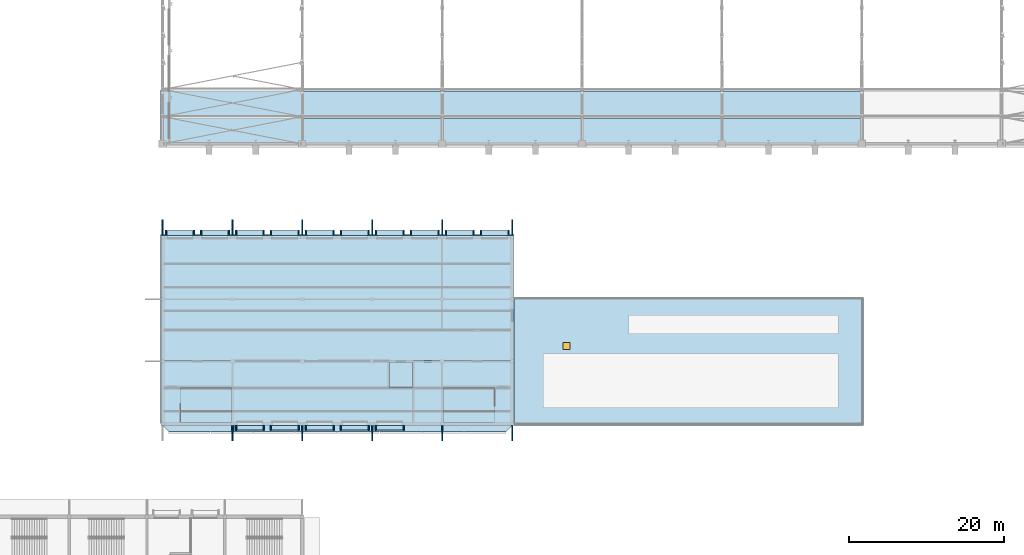
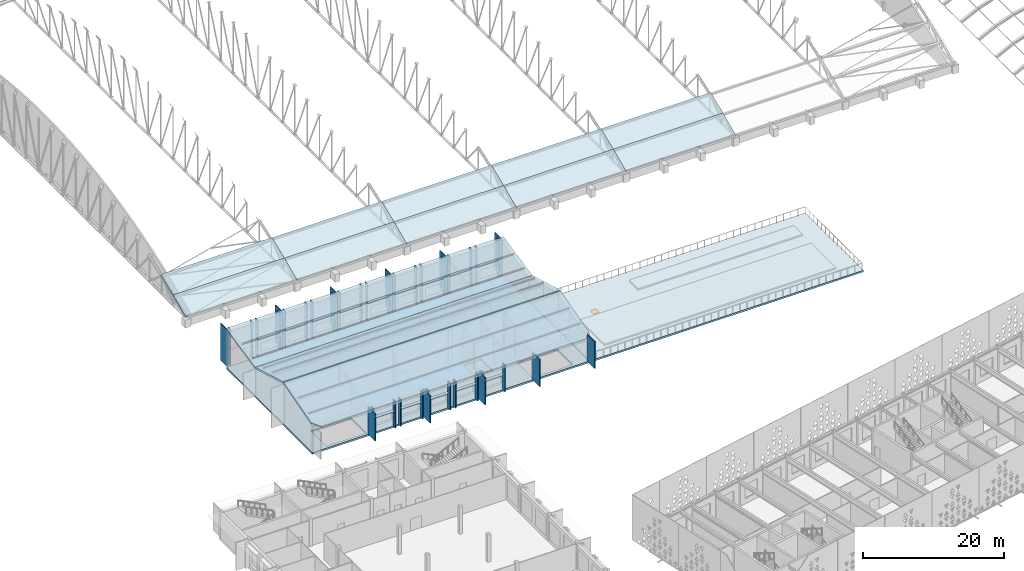
# One storey, part 107 of 196: 56 plates, 15 slabs, 1 window, 1 opening.
"""IFC4 building model written with IfcOpenShell, lengths in metres."""

from ifc_helpers import new_model, si_unit, direction, frame, origin, origin_2d, place, context, subcontext, project, spatial, polyline, rectangle, outline, extrude, material, layer, layer_set, type_object, element, fill, save


model = new_model("IFC4")

# Units and contexts
model_context = context("Model", 3, precision=1e-05, world=origin(), true_north=direction((0.0, 1.0)))
body_context = subcontext(model_context, "Body", "Model", "MODEL_VIEW")
ifc_project = project(units=[si_unit("LENGTHUNIT", "METRE"), si_unit("AREAUNIT", "SQUARE_METRE"), si_unit("VOLUMEUNIT", "CUBIC_METRE"), si_unit("PLANEANGLEUNIT", "RADIAN"), si_unit("MASSUNIT", "GRAM", prefix="KILO")], contexts=[model_context])

# Site, building, storey
site_placement = place(None, origin())
site = spatial("IfcSite", under=ifc_project, at=site_placement, CompositionType="ELEMENT")
building_placement = place(site_placement, origin())
building = spatial("IfcBuilding", under=site, at=building_placement, Name="Okhra Congress Centre", CompositionType="ELEMENT")
storey_placement = place(building_placement, frame((0.0, 0.0, 12.0)))
storey = spatial("IfcBuildingStorey", under=building, at=storey_placement, Name="L02", CompositionType="ELEMENT", Elevation=12.0)

# Slabs
ifc_material_1 = material(Name="Insulated metal sandwich roof panel (mineral wool core)")
ifc_layer_1 = layer(ifc_material_1, 0.25)
ifc_layer_set_1 = layer_set([ifc_layer_1], Name="Insulated roof panel 250")
slab_type_1 = type_object("IfcSlabType", Name="Insulated roof panel 250", PredefinedType="ROOF", material=ifc_layer_set_1)
slab_1_placement = place(storey_placement, frame((27.75, 131.795654296875, 1.8564453125), z_axis=(0.0, -0.408547084695, 0.912737245645), x_axis=(1.0, 0.0, 0.0)))
element("IfcSlab", 1, at=slab_1_placement, inside=storey, type_object=slab_type_1, Name="EH.SLAB.L02.RP1-01", PredefinedType="ROOF", context=body_context, shape_type="SweptSolid", body=[
    extrude(outline(polyline([(0.0, 0.0), (18.25, 0.0), (18.25, 3.8442488013304907), (0.0, 3.8442488013304907), (0.0, 0.0)])), origin(), (0.0, 0.0, -1.0), 0.25),
])
slab_2_placement = place(storey_placement, frame((27.75, 135.304443359375, 3.427001953125), z_axis=(0.0, -0.37302210348, 0.927822456247), x_axis=(1.0, 0.0, 0.0)))
element("IfcSlab", 2, at=slab_2_placement, inside=storey, type_object=slab_type_1, Name="EH.SLAB.L02.RP1-02", PredefinedType="ROOF", context=body_context, shape_type="SweptSolid", body=[
    extrude(outline(polyline([(0.0, 0.0), (18.25, 0.0), (18.25, 3.791482133182613), (0.0, 3.791482133182613), (0.0, 0.0)])), origin(), (0.0, 0.0, -1.0), 0.25),
])
slab_3_placement = place(storey_placement, frame((46.0, 131.795654296875, 1.8564453125), z_axis=(0.0, -0.408547084695, 0.912737245645), x_axis=(1.0, 0.0, 0.0)))
element("IfcSlab", 3, at=slab_3_placement, inside=storey, type_object=slab_type_1, Name="EH.SLAB.L02.RP2-01", PredefinedType="ROOF", context=body_context, shape_type="SweptSolid", body=[
    extrude(outline(polyline([(0.0, 0.0), (18.0, 0.0), (18.0, 3.8442488013304907), (0.0, 3.8442488013304907), (0.0, 0.0)])), origin(), (0.0, 0.0, -1.0), 0.25),
])
slab_4_placement = place(storey_placement, frame((46.0, 135.304443359375, 3.427001953125), z_axis=(0.0, -0.37302210348, 0.927822456247), x_axis=(1.0, 0.0, 0.0)))
element("IfcSlab", 4, at=slab_4_placement, inside=storey, type_object=slab_type_1, Name="EH.SLAB.L02.RP2-02", PredefinedType="ROOF", context=body_context, shape_type="SweptSolid", body=[
    extrude(outline(polyline([(0.0, 0.0), (18.0, 0.0), (18.0, 3.791482133182613), (0.0, 3.791482133182613), (0.0, 0.0)])), origin(), (0.0, 0.0, -1.0), 0.25),
])
slab_5_placement = place(storey_placement, frame((64.0, 131.795654296875, 1.8564453125), z_axis=(0.0, -0.408547084695, 0.912737245645), x_axis=(1.0, 0.0, 0.0)))
element("IfcSlab", 5, at=slab_5_placement, inside=storey, type_object=slab_type_1, Name="EH.SLAB.L02.RP3-01", PredefinedType="ROOF", context=body_context, shape_type="SweptSolid", body=[
    extrude(outline(polyline([(0.0, 0.0), (18.0, 0.0), (18.0, 3.8442488013304907), (0.0, 3.8442488013304907), (0.0, 0.0)])), origin(), (0.0, 0.0, -1.0), 0.25),
])
slab_6_placement = place(storey_placement, frame((64.0, 135.304443359375, 3.427001953125), z_axis=(0.0, -0.37302210348, 0.927822456247), x_axis=(1.0, 0.0, 0.0)))
element("IfcSlab", 6, at=slab_6_placement, inside=storey, type_object=slab_type_1, Name="EH.SLAB.L02.RP3-02", PredefinedType="ROOF", context=body_context, shape_type="SweptSolid", body=[
    extrude(outline(polyline([(0.0, 0.0), (18.0, 0.0), (18.0, 3.791482133182613), (0.0, 3.791482133182613), (0.0, 0.0)])), origin(), (0.0, 0.0, -1.0), 0.25),
])
slab_7_placement = place(storey_placement, frame((82.0, 131.795654296875, 1.8564453125), z_axis=(0.0, -0.408547084695, 0.912737245645), x_axis=(1.0, 0.0, 0.0)))
element("IfcSlab", 7, at=slab_7_placement, inside=storey, type_object=slab_type_1, Name="EH.SLAB.L02.RP4-01", PredefinedType="ROOF", context=body_context, shape_type="SweptSolid", body=[
    extrude(outline(polyline([(0.0, 0.0), (18.0, 0.0), (18.0, 3.8442488013304907), (0.0, 3.8442488013304907), (0.0, 0.0)])), origin(), (0.0, 0.0, -1.0), 0.25),
])
slab_8_placement = place(storey_placement, frame((82.0, 135.304443359375, 3.427001953125), z_axis=(0.0, -0.37302210348, 0.927822456247), x_axis=(1.0, 0.0, 0.0)))
element("IfcSlab", 8, at=slab_8_placement, inside=storey, type_object=slab_type_1, Name="EH.SLAB.L02.RP4-02", PredefinedType="ROOF", context=body_context, shape_type="SweptSolid", body=[
    extrude(outline(polyline([(0.0, 0.0), (18.0, 0.0), (18.0, 3.791482133182613), (0.0, 3.791482133182613), (0.0, 0.0)])), origin(), (0.0, 0.0, -1.0), 0.25),
])
slab_9_placement = place(storey_placement, frame((100.0, 131.795654296875, 1.8564453125), z_axis=(0.0, -0.408547084695, 0.912737245645), x_axis=(1.0, 0.0, 0.0)))
element("IfcSlab", 9, at=slab_9_placement, inside=storey, type_object=slab_type_1, Name="EH.SLAB.L02.RP5-01", PredefinedType="ROOF", context=body_context, shape_type="SweptSolid", body=[
    extrude(outline(polyline([(0.0, 0.0), (18.0, 0.0), (18.0, 3.8442488013304907), (0.0, 3.8442488013304907), (0.0, 0.0)])), origin(), (0.0, 0.0, -1.0), 0.25),
])
slab_10_placement = place(storey_placement, frame((100.0, 135.304443359375, 3.427001953125), z_axis=(0.0, -0.37302210348, 0.927822456247), x_axis=(1.0, 0.0, 0.0)))
element("IfcSlab", 10, at=slab_10_placement, inside=storey, type_object=slab_type_1, Name="EH.SLAB.L02.RP5-02", PredefinedType="ROOF", context=body_context, shape_type="SweptSolid", body=[
    extrude(outline(polyline([(0.0, 0.0), (18.0, 0.0), (18.0, 3.791482133182613), (0.0, 3.791482133182613), (0.0, 0.0)])), origin(), (0.0, 0.0, -1.0), 0.25),
])

# Plates
ifc_material_2 = material(Name="Precast concrete C40/50", Category="concrete")
plate_type_1 = type_object("IfcPlateType", Name="Precast concrete blade 150x2000 C40/50", PredefinedType="SHEET", material=ifc_material_2)
for number, where, z_axis, x_axis, name in (
    (11, (37.0, 94.77490234375, 0.0), (0.0, 0.0, 1.0), (1.0, 0.0, 0.0), "SV.PLT.L02.blade-23"),
    (12, (46.0, 94.77490234375, 0.0), (0.0, 0.0, 1.0), (1.0, 0.0, 0.0), "SV.PLT.L02.blade-24"),
    (13, (55.0, 94.77490234375, 0.0), (0.0, 0.0, 1.0), (1.0, 0.0, 0.0), "SV.PLT.L02.blade-25"),
    (14, (64.0, 94.77490234375, 0.0), (0.0, 0.0, 1.0), (1.0, 0.0, 0.0), "SV.PLT.L02.blade-26"),
    (15, (73.0, 94.77490234375, 0.0), (0.0, 0.0, 1.0), (1.0, 0.0, 0.0), "SV.PLT.L02.blade-27"),
):
    element("IfcPlate", number, at=place(storey_placement, frame(where, z_axis=z_axis, x_axis=x_axis)), inside=storey, type_object=plate_type_1, Name=name, PredefinedType="SHEET", context=body_context, shape_type="SweptSolid", body=[
        extrude(rectangle(XDim=0.14990234375, YDim=2.0, at=origin_2d()), origin(), (0.0, 0.0, 1.0), 4.66796875),
    ])
for number, where, z_axis, x_axis, name in (
    (16, (28.0, 121.22509765625, 0.0), (0.0, 0.0, 1.0), (-1.0, 0.0, 0.0), "SV.PLT.L02.blade-28"),
    (17, (37.0, 121.22509765625, 0.0), (0.0, 0.0, 1.0), (-1.0, 0.0, 0.0), "SV.PLT.L02.blade-29"),
    (18, (46.0, 121.22509765625, 0.0), (0.0, 0.0, 1.0), (-1.0, 0.0, 0.0), "SV.PLT.L02.blade-30"),
    (19, (55.0, 121.22509765625, 0.0), (0.0, 0.0, 1.0), (-1.0, 0.0, 0.0), "SV.PLT.L02.blade-31"),
    (20, (64.0, 121.22509765625, 0.0), (0.0, 0.0, 1.0), (-1.0, 0.0, 0.0), "SV.PLT.L02.blade-32"),
    (21, (73.0, 121.22509765625, 0.0), (0.0, 0.0, 1.0), (-1.0, 0.0, 0.0), "SV.PLT.L02.blade-33"),
):
    element("IfcPlate", number, at=place(storey_placement, frame(where, z_axis=z_axis, x_axis=x_axis)), inside=storey, type_object=plate_type_1, Name=name, PredefinedType="SHEET", context=body_context, shape_type="SweptSolid", body=[
        extrude(rectangle(XDim=0.14990234375, YDim=2.0, at=origin_2d()), origin(), (0.0, 0.0, 1.0), 6.373779296875),
    ])

# Slab
ifc_material_3 = material(Name="Concrete C30/37", Category="concrete")
ifc_layer_2 = layer(ifc_material_3, 0.300048828125)
ifc_layer_set_2 = layer_set([ifc_layer_2], Name="RC floor slab 300 REI 120 C30/37")
slab_type_2 = type_object("IfcSlabType", Name="RC floor slab 300 REI 120 C30/37", PredefinedType="FLOOR", material=ifc_layer_set_2)
slab_11_placement = place(storey_placement, frame((0.0, 0.0, -0.300048828125)))
element("IfcSlab", 22, at=slab_11_placement, inside=storey, type_object=slab_type_2, Name="Floor slab L02", PredefinedType="FLOOR", context=body_context, shape_type="SweptSolid", body=[
    extrude(outline(polyline([(73.22509765625, 95.77490234375), (73.22509765625, 120.22509765625), (27.77490234375, 120.22509765625), (27.77490234375, 95.77490234375), (73.22509765625, 95.77490234375)]), holes=[polyline([(30.327880859375, 96.22509765625), (36.85009765625, 96.22509765625), (36.85009765625, 100.574951171875), (30.327880859375, 100.574951171875), (30.327880859375, 96.22509765625)]), polyline([(70.7470703125, 100.574951171875), (64.14990234375, 100.574951171875), (64.14990234375, 96.22509765625), (70.7470703125, 96.22509765625), (70.7470703125, 100.574951171875)]), polyline([(57.25, 100.64990234375), (60.14990234375, 100.64990234375), (60.14990234375, 103.875), (57.25, 103.875), (57.25, 100.64990234375)])]), origin(), (0.0, 0.0, 1.0), 0.300048828125),
])

# Slab, opening, window
ifc_layer_3 = layer(ifc_material_3, 0.300048828125)
ifc_layer_set_3 = layer_set([ifc_layer_3], Name="RC roof terrace slab 300 REI 120 C30/37")
slab_type_3 = type_object("IfcSlabType", Name="RC roof terrace slab 300 REI 120 C30/37", PredefinedType="ROOF", material=ifc_layer_set_3)
slab_12_placement = place(storey_placement, frame((0.0, 0.0, -0.300048828125)))
slab_12 = element("IfcSlab", 23, at=slab_12_placement, inside=storey, type_object=slab_type_3, Name="Roof garden slab, L01 block", PredefinedType="ROOF", context=body_context, shape_type="SweptSolid", body=[
    extrude(outline(polyline([(73.22509765625, 95.77490234375), (118.22509765625, 95.77490234375), (118.22509765625, 112.22509765625), (73.22509765625, 112.22509765625), (73.22509765625, 95.77490234375)])), origin(), (0.0, 0.0, 1.0), 0.300048828125),
])
opening_placement = place(slab_12_placement, frame((80.0, 106.0, 0.0)))
opening = element("IfcOpeningElement", 24, at=opening_placement, cuts=slab_12, Name="Opening RH1", PredefinedType="OPENING", context=body_context, shape_type="SweptSolid", body=[
    extrude(rectangle(XDim=0.89990234375, YDim=0.89990234375, at=origin_2d()), origin(), (0.0, 0.0, 1.0), 0.300048828125),
])
ifc_material_4 = material(Name="Insulated aluminium hatch with double-skin lid", Category="aluminium")
window_type = type_object("IfcWindowType", Name="Roof access hatch 900x900", PartitioningType="SINGLE_PANEL", PredefinedType="SKYLIGHT", material=ifc_material_4)
window_placement = place(opening_placement, frame((0.0, 0.0, 0.25)))
window = element("IfcWindow", 25, at=window_placement, inside=storey, type_object=window_type, Name="Roof access hatch", OverallHeight=0.89990234375, OverallWidth=0.89990234375, PartitioningType="SINGLE_PANEL", PredefinedType="SKYLIGHT", context=body_context, shape_type="SweptSolid", body=[
    extrude(rectangle(XDim=0.89990234375, YDim=0.89990234375, at=origin_2d()), origin(), (0.0, 0.0, 1.0), 0.050048828125),
])
fill(opening, window)

# Slabs
ifc_layer_4 = layer(ifc_material_3, 0.300048828125)
ifc_layer_set_4 = layer_set([ifc_layer_4], Name="RC sloped roof slab 300 C30/37")
slab_type_4 = type_object("IfcSlabType", Name="RC sloped roof slab 300 C30/37", PredefinedType="ROOF", material=ifc_layer_set_4)
slab_13_placement = place(storey_placement, frame((28.75, 95.0, 4.713134765625), z_axis=(0.0, -0.275661120137, 0.961254881311), x_axis=(1.0, 0.0, 0.0)))
element("IfcSlab", 26, at=slab_13_placement, inside=storey, type_object=slab_type_4, Name="Shed roof slab 1", PredefinedType="ROOF", context=body_context, shape_type="SweptSolid", body=[
    extrude(outline(polyline([(0.0, 0.0), (43.5, 0.0), (44.5, 1.0403324731474823), (44.5, 9.258629588192035), (-1.0, 9.258629588192035), (-1.0, 1.0403324731474823), (0.0, 0.0)])), origin(), (0.0, 0.0, -1.0), 0.300048828125),
])
slab_14_placement = place(storey_placement, frame((27.75, 104.10009765625, 7.265380859375), z_axis=(0.0, 0.275650883332, 0.961257816883), x_axis=(1.0, 0.0, 0.0)))
element("IfcSlab", 27, at=slab_14_placement, inside=storey, type_object=slab_type_4, Name="Shed roof slab 2", PredefinedType="ROOF", context=body_context, shape_type="SweptSolid", body=[
    extrude(outline(polyline([(0.0, 0.0), (45.5, 0.0), (45.5, 8.21829711551057), (0.0, 8.21829711551057), (0.0, 0.0)])), origin(), (0.0, 0.0, -1.0), 0.300048828125),
])
slab_15_placement = place(storey_placement, frame((27.75, 112.0, 5.0), z_axis=(0.0, -0.20791968542, 0.978145901394), x_axis=(1.0, 0.0, 0.0)))
element("IfcSlab", 28, at=slab_15_placement, inside=storey, type_object=slab_type_4, Name="Shed roof slab 3", PredefinedType="ROOF", context=body_context, shape_type="SweptSolid", body=[
    extrude(outline(polyline([(0.0, 0.0), (45.5, 0.0), (45.5, 8.434324560618803), (0.0, 8.434324560618803), (0.0, 0.0)])), origin(), (0.0, 0.0, -1.0), 0.300048828125),
])

# Plates
ifc_material_5 = material(Name="Weathering steel S355J0WP", Category="steel")
plate_type_2 = type_object("IfcPlateType", Name="Weathering steel fin 150x650", PredefinedType="SHEET", material=ifc_material_5)
for number, where, z_axis, x_axis, name in (
    (29, (37.449951171875, 95.449951171875, 0.0), (0.0, 0.0, 1.0), (1.0, 0.0, 0.0), "SV.PLT.L02.fin-59"),
    (30, (41.050048828125, 95.449951171875, 0.0), (0.0, 0.0, 1.0), (1.0, 0.0, 0.0), "SV.PLT.L02.fin-60"),
    (31, (41.949951171875, 95.449951171875, 0.0), (0.0, 0.0, 1.0), (1.0, 0.0, 0.0), "SV.PLT.L02.fin-61"),
    (32, (45.550048828125, 95.449951171875, 0.0), (0.0, 0.0, 1.0), (1.0, 0.0, 0.0), "SV.PLT.L02.fin-62"),
    (33, (46.449951171875, 95.449951171875, 0.0), (0.0, 0.0, 1.0), (1.0, 0.0, 0.0), "SV.PLT.L02.fin-63"),
    (34, (50.050048828125, 95.449951171875, 0.0), (0.0, 0.0, 1.0), (1.0, 0.0, 0.0), "SV.PLT.L02.fin-64"),
    (35, (50.949951171875, 95.449951171875, 0.0), (0.0, 0.0, 1.0), (1.0, 0.0, 0.0), "SV.PLT.L02.fin-65"),
    (36, (54.550048828125, 95.449951171875, 0.0), (0.0, 0.0, 1.0), (1.0, 0.0, 0.0), "SV.PLT.L02.fin-66"),
    (37, (55.449951171875, 95.449951171875, 0.0), (0.0, 0.0, 1.0), (1.0, 0.0, 0.0), "SV.PLT.L02.fin-67"),
    (38, (59.050048828125, 95.449951171875, 0.0), (0.0, 0.0, 1.0), (1.0, 0.0, 0.0), "SV.PLT.L02.fin-68"),
):
    element("IfcPlate", number, at=place(storey_placement, frame(where, z_axis=z_axis, x_axis=x_axis)), inside=storey, type_object=plate_type_2, Name=name, PredefinedType="SHEET", context=body_context, shape_type="SweptSolid", body=[
        extrude(rectangle(XDim=0.14990234375, YDim=0.64990234375, at=origin_2d()), origin(), (0.0, 0.0, 1.0), 4.66796875),
    ])
for number, where, z_axis, x_axis, name in (
    (39, (28.449951171875, 120.550048828125, 0.0), (0.0, 0.0, 1.0), (-1.0, 0.0, 0.0), "SV.PLT.L02.fin-69"),
    (40, (32.050048828125, 120.550048828125, 0.0), (0.0, 0.0, 1.0), (-1.0, 0.0, 0.0), "SV.PLT.L02.fin-70"),
    (41, (32.949951171875, 120.550048828125, 0.0), (0.0, 0.0, 1.0), (-1.0, 0.0, 0.0), "SV.PLT.L02.fin-71"),
    (42, (36.550048828125, 120.550048828125, 0.0), (0.0, 0.0, 1.0), (-1.0, 0.0, 0.0), "SV.PLT.L02.fin-72"),
    (43, (37.449951171875, 120.550048828125, 0.0), (0.0, 0.0, 1.0), (-1.0, 0.0, 0.0), "SV.PLT.L02.fin-73"),
    (44, (41.050048828125, 120.550048828125, 0.0), (0.0, 0.0, 1.0), (-1.0, 0.0, 0.0), "SV.PLT.L02.fin-74"),
    (45, (41.949951171875, 120.550048828125, 0.0), (0.0, 0.0, 1.0), (-1.0, 0.0, 0.0), "SV.PLT.L02.fin-75"),
    (46, (45.550048828125, 120.550048828125, 0.0), (0.0, 0.0, 1.0), (-1.0, 0.0, 0.0), "SV.PLT.L02.fin-76"),
    (47, (46.449951171875, 120.550048828125, 0.0), (0.0, 0.0, 1.0), (-1.0, 0.0, 0.0), "SV.PLT.L02.fin-77"),
    (48, (50.050048828125, 120.550048828125, 0.0), (0.0, 0.0, 1.0), (-1.0, 0.0, 0.0), "SV.PLT.L02.fin-78"),
    (49, (50.949951171875, 120.550048828125, 0.0), (0.0, 0.0, 1.0), (-1.0, 0.0, 0.0), "SV.PLT.L02.fin-79"),
    (50, (54.550048828125, 120.550048828125, 0.0), (0.0, 0.0, 1.0), (-1.0, 0.0, 0.0), "SV.PLT.L02.fin-80"),
    (51, (55.449951171875, 120.550048828125, 0.0), (0.0, 0.0, 1.0), (-1.0, 0.0, 0.0), "SV.PLT.L02.fin-81"),
    (52, (59.050048828125, 120.550048828125, 0.0), (0.0, 0.0, 1.0), (-1.0, 0.0, 0.0), "SV.PLT.L02.fin-82"),
    (53, (59.949951171875, 120.550048828125, 0.0), (0.0, 0.0, 1.0), (-1.0, 0.0, 0.0), "SV.PLT.L02.fin-83"),
    (54, (63.550048828125, 120.550048828125, 0.0), (0.0, 0.0, 1.0), (-1.0, 0.0, 0.0), "SV.PLT.L02.fin-84"),
    (55, (64.449951171875, 120.550048828125, 0.0), (0.0, 0.0, 1.0), (-1.0, 0.0, 0.0), "SV.PLT.L02.fin-85"),
    (56, (68.050048828125, 120.550048828125, 0.0), (0.0, 0.0, 1.0), (-1.0, 0.0, 0.0), "SV.PLT.L02.fin-86"),
    (57, (68.949951171875, 120.550048828125, 0.0), (0.0, 0.0, 1.0), (-1.0, 0.0, 0.0), "SV.PLT.L02.fin-87"),
    (58, (72.550048828125, 120.550048828125, 0.0), (0.0, 0.0, 1.0), (-1.0, 0.0, 0.0), "SV.PLT.L02.fin-88"),
):
    element("IfcPlate", number, at=place(storey_placement, frame(where, z_axis=z_axis, x_axis=x_axis)), inside=storey, type_object=plate_type_2, Name=name, PredefinedType="SHEET", context=body_context, shape_type="SweptSolid", body=[
        extrude(rectangle(XDim=0.14990234375, YDim=0.64990234375, at=origin_2d()), origin(), (0.0, 0.0, 1.0), 6.373779296875),
    ])
ifc_layer_5 = layer(ifc_material_5, 0.1201171875)
ifc_layer_set_5 = layer_set([ifc_layer_5], Name="Weathering steel window hood 600x120")
plate_type_3 = type_object("IfcPlateType", Name="Weathering steel window hood 600x120", PredefinedType="SHEET", material=ifc_layer_set_5)
for number, where, z_axis, x_axis, name in (
    (59, (39.25, 95.47509765625, 2.7900390625), (0.0, 0.0, 1.0), (1.0, 0.0, 0.0), "SV.PLT.L02.hood-30"),
    (60, (43.75, 95.47509765625, 2.7900390625), (0.0, 0.0, 1.0), (1.0, 0.0, 0.0), "SV.PLT.L02.hood-31"),
    (61, (48.25, 95.47509765625, 2.7900390625), (0.0, 0.0, 1.0), (1.0, 0.0, 0.0), "SV.PLT.L02.hood-32"),
    (62, (52.75, 95.47509765625, 2.7900390625), (0.0, 0.0, 1.0), (1.0, 0.0, 0.0), "SV.PLT.L02.hood-33"),
    (63, (57.25, 95.47509765625, 2.7900390625), (0.0, 0.0, 1.0), (1.0, 0.0, 0.0), "SV.PLT.L02.hood-34"),
    (64, (30.25, 120.52490234375, 2.7900390625), (0.0, 0.0, 1.0), (-1.0, 0.0, 0.0), "SV.PLT.L02.hood-35"),
    (65, (34.75, 120.52490234375, 2.7900390625), (0.0, 0.0, 1.0), (-1.0, 0.0, 0.0), "SV.PLT.L02.hood-36"),
    (66, (39.25, 120.52490234375, 2.7900390625), (0.0, 0.0, 1.0), (-1.0, 0.0, 0.0), "SV.PLT.L02.hood-37"),
    (67, (43.75, 120.52490234375, 2.7900390625), (0.0, 0.0, 1.0), (-1.0, 0.0, 0.0), "SV.PLT.L02.hood-38"),
    (68, (48.25, 120.52490234375, 2.7900390625), (0.0, 0.0, 1.0), (-1.0, 0.0, 0.0), "SV.PLT.L02.hood-39"),
    (69, (52.75, 120.52490234375, 2.7900390625), (0.0, 0.0, 1.0), (-1.0, 0.0, 0.0), "SV.PLT.L02.hood-40"),
    (70, (57.25, 120.52490234375, 2.7900390625), (0.0, 0.0, 1.0), (-1.0, 0.0, 0.0), "SV.PLT.L02.hood-41"),
    (71, (61.75, 120.52490234375, 2.7900390625), (0.0, 0.0, 1.0), (-1.0, 0.0, 0.0), "SV.PLT.L02.hood-42"),
    (72, (66.25, 120.52490234375, 2.7900390625), (0.0, 0.0, 1.0), (-1.0, 0.0, 0.0), "SV.PLT.L02.hood-43"),
    (73, (70.75, 120.52490234375, 2.7900390625), (0.0, 0.0, 1.0), (-1.0, 0.0, 0.0), "SV.PLT.L02.hood-44"),
):
    element("IfcPlate", number, at=place(storey_placement, frame(where, z_axis=z_axis, x_axis=x_axis)), inside=storey, type_object=plate_type_3, Name=name, PredefinedType="SHEET", context=body_context, shape_type="SweptSolid", body=[
        extrude(rectangle(XDim=3.43994140625, YDim=0.60009765625, at=origin_2d()), origin(), (0.0, 0.0, 1.0), 0.1201171875),
    ])

save(model, "model.ifc")
